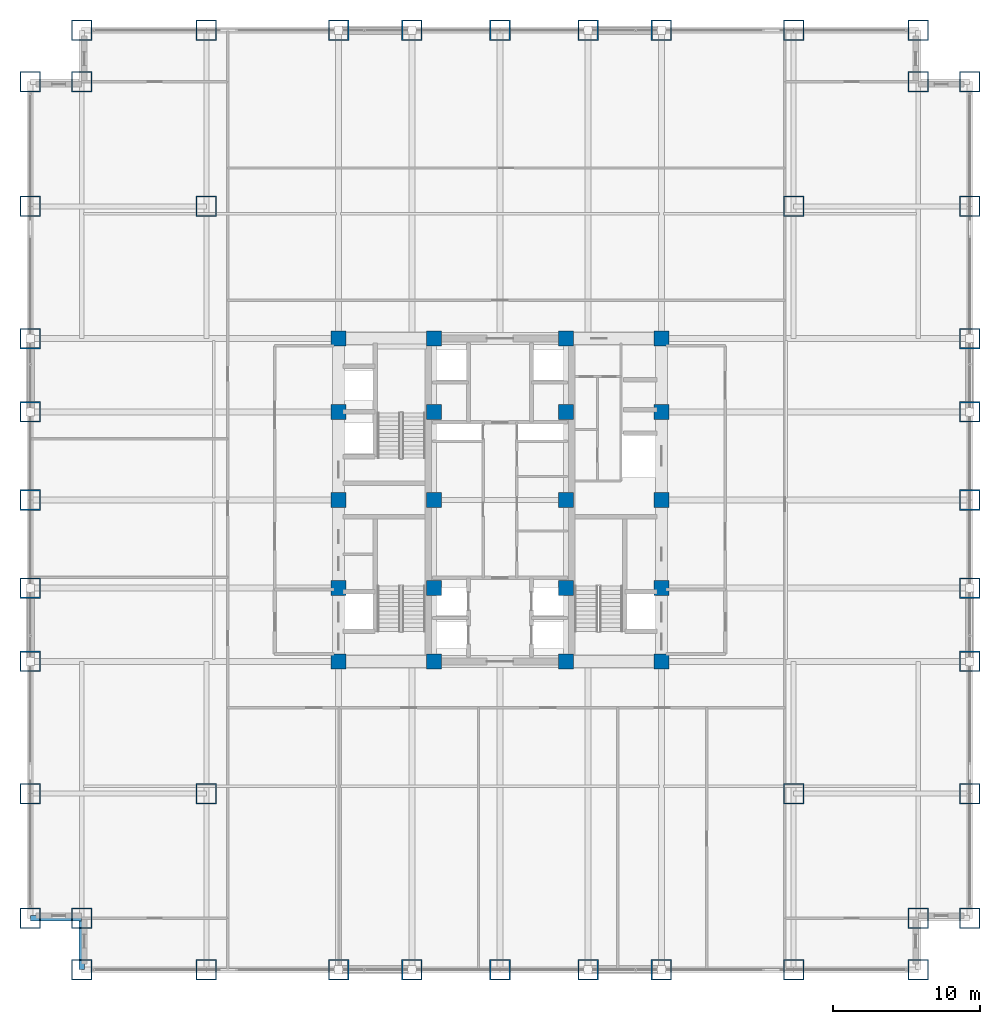
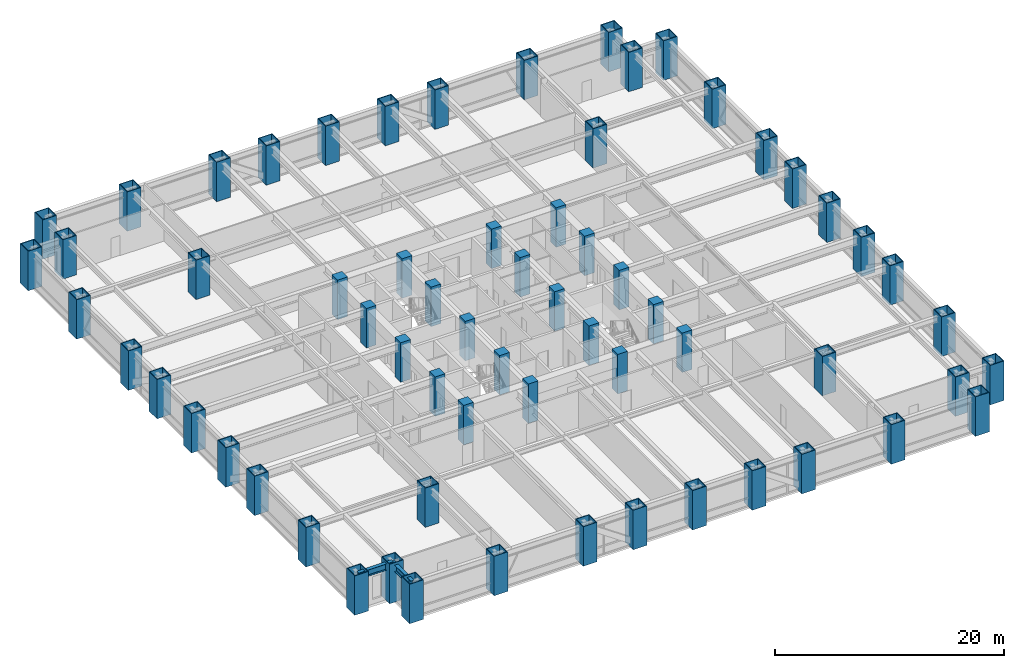
# One storey, part 1 of 27: 64 columns, 2 beams.
"""IFC4 building model written with IfcOpenShell, lengths in metres."""

from ifc_helpers import new_model, si_unit, direction, frame, origin, origin_2d, place, context, subcontext, project, spatial, rectangle, hollow_rectangle, i_section, extrude, source, transform, mapped, material, material_profile, profile_set, type_object, element, save


model = new_model("IFC4")

# Units and contexts
model_context = context("Model", 3, precision=1e-05, world=origin(), true_north=direction((0.0, 1.0)))
body_context = subcontext(model_context, "Body", "Model", "MODEL_VIEW")
ifc_project = project(units=[si_unit("LENGTHUNIT", "METRE"), si_unit("AREAUNIT", "SQUARE_METRE"), si_unit("VOLUMEUNIT", "CUBIC_METRE"), si_unit("PLANEANGLEUNIT", "RADIAN"), si_unit("MASSUNIT", "GRAM", prefix="KILO")], contexts=[model_context])

# Site, building, storey
site_placement = place(None, origin())
site = spatial("IfcSite", under=ifc_project, at=site_placement, CompositionType="ELEMENT")
building_placement = place(site_placement, origin())
building = spatial("IfcBuilding", under=site, at=building_placement, Name="Khorayat Bourse Tower", CompositionType="ELEMENT")
storey_placement = place(building_placement, frame((0.0, 0.0, 45.199951171875)))
storey = spatial("IfcBuildingStorey", under=building, at=storey_placement, Name="L09", CompositionType="ELEMENT", Elevation=45.199951171875)

# Columns
ifc_material_1 = material(Name="Steel EN 10025-4 S460M", Category="steel")
ifc_material_profile_1 = material_profile(ifc_material_1, hollow_rectangle(XDim=1.39990234375, YDim=1.39990234375, WallThickness=0.074951171875, at=origin_2d()), Name="BOX 1400x1400x75")
ifc_profile_set_1 = profile_set([ifc_material_profile_1], Name="Steel EN 10025-4 S460M")
column_type_1 = type_object("IfcColumnType", Name="COL-TUBE-1400", PredefinedType="COLUMN", material=ifc_profile_set_1)
shared_shape_1 = source(origin(), body_context, "Body", "SweptSolid", [
    extrude(hollow_rectangle(XDim=1.39990234375, YDim=1.39990234375, WallThickness=0.074951171875, at=origin_2d()), origin(), (0.0, 0.0, 1.0), 4.199951171875),
])
for number, where, z_axis, x_axis, name in (
    (1, (-32.0, -28.5, 0.0), (0.0, 0.0, 1.0), (1.0, 0.0, 0.0), "L09 Column 001"),
    (2, (-32.0, -20.0, 0.0), (0.0, 0.0, 1.0), (1.0, 0.0, 0.0), "L09 Column 002"),
    (3, (-32.0, -11.0, 0.0), (0.0, 0.0, 1.0), (1.0, 0.0, 0.0), "L09 Column 003"),
    (4, (-32.0, -6.0, 0.0), (0.0, 0.0, 1.0), (1.0, 0.0, 0.0), "L09 Column 004"),
    (5, (-32.0, 0.0, 0.0), (0.0, 0.0, 1.0), (1.0, 0.0, 0.0), "L09 Column 005"),
    (6, (-32.0, 6.0, 0.0), (0.0, 0.0, 1.0), (1.0, 0.0, 0.0), "L09 Column 006"),
    (7, (-32.0, 11.0, 0.0), (0.0, 0.0, 1.0), (1.0, 0.0, 0.0), "L09 Column 007"),
    (8, (-32.0, 20.0, 0.0), (0.0, 0.0, 1.0), (1.0, 0.0, 0.0), "L09 Column 008"),
    (9, (-32.0, 28.5, 0.0), (0.0, 0.0, 1.0), (1.0, 0.0, 0.0), "L09 Column 009"),
    (10, (-28.5, -32.0, 0.0), (0.0, 0.0, 1.0), (1.0, 0.0, 0.0), "L09 Column 010"),
    (11, (-28.5, -28.5, 0.0), (0.0, 0.0, 1.0), (1.0, 0.0, 0.0), "L09 Column 011"),
    (12, (-28.5, 28.5, 0.0), (0.0, 0.0, 1.0), (1.0, 0.0, 0.0), "L09 Column 012"),
    (13, (-28.5, 32.0, 0.0), (0.0, 0.0, 1.0), (1.0, 0.0, 0.0), "L09 Column 013"),
    (14, (-20.0, -32.0, 0.0), (0.0, 0.0, 1.0), (1.0, 0.0, 0.0), "L09 Column 014"),
    (15, (-20.0, -20.0, 0.0), (0.0, 0.0, 1.0), (1.0, 0.0, 0.0), "L09 Column 015"),
    (16, (-20.0, 20.0, 0.0), (0.0, 0.0, 1.0), (1.0, 0.0, 0.0), "L09 Column 016"),
    (17, (-20.0, 32.0, 0.0), (0.0, 0.0, 1.0), (1.0, 0.0, 0.0), "L09 Column 017"),
    (18, (-11.0, -32.0, 0.0), (0.0, 0.0, 1.0), (1.0, 0.0, 0.0), "L09 Column 018"),
    (19, (-11.0, 32.0, 0.0), (0.0, 0.0, 1.0), (1.0, 0.0, 0.0), "L09 Column 024"),
    (20, (-6.0, -32.0, 0.0), (0.0, 0.0, 1.0), (1.0, 0.0, 0.0), "L09 Column 025"),
    (21, (-6.0, 32.0, 0.0), (0.0, 0.0, 1.0), (1.0, 0.0, 0.0), "L09 Column 026"),
    (22, (0.0, -32.0, 0.0), (0.0, 0.0, 1.0), (1.0, 0.0, 0.0), "L09 Column 032"),
    (23, (0.0, 32.0, 0.0), (0.0, 0.0, 1.0), (1.0, 0.0, 0.0), "L09 Column 033"),
    (24, (6.0, -32.0, 0.0), (0.0, 0.0, 1.0), (1.0, 0.0, 0.0), "L09 Column 039"),
    (25, (6.0, 32.0, 0.0), (0.0, 0.0, 1.0), (1.0, 0.0, 0.0), "L09 Column 040"),
    (26, (11.0, -32.0, 0.0), (0.0, 0.0, 1.0), (1.0, 0.0, 0.0), "L09 Column 041"),
    (27, (11.0, 32.0, 0.0), (0.0, 0.0, 1.0), (1.0, 0.0, 0.0), "L09 Column 047"),
    (28, (20.0, -32.0, 0.0), (0.0, 0.0, 1.0), (1.0, 0.0, 0.0), "L09 Column 048"),
    (29, (20.0, -20.0, 0.0), (0.0, 0.0, 1.0), (1.0, 0.0, 0.0), "L09 Column 049"),
    (30, (20.0, 20.0, 0.0), (0.0, 0.0, 1.0), (1.0, 0.0, 0.0), "L09 Column 050"),
    (31, (20.0, 32.0, 0.0), (0.0, 0.0, 1.0), (1.0, 0.0, 0.0), "L09 Column 051"),
    (32, (28.5, -32.0, 0.0), (0.0, 0.0, 1.0), (1.0, 0.0, 0.0), "L09 Column 052"),
    (33, (28.5, -28.5, 0.0), (0.0, 0.0, 1.0), (1.0, 0.0, 0.0), "L09 Column 053"),
    (34, (28.5, 28.5, 0.0), (0.0, 0.0, 1.0), (1.0, 0.0, 0.0), "L09 Column 054"),
    (35, (28.5, 32.0, 0.0), (0.0, 0.0, 1.0), (1.0, 0.0, 0.0), "L09 Column 055"),
    (36, (32.0, -28.5, 0.0), (0.0, 0.0, 1.0), (1.0, 0.0, 0.0), "L09 Column 056"),
    (37, (32.0, -20.0, 0.0), (0.0, 0.0, 1.0), (1.0, 0.0, 0.0), "L09 Column 057"),
    (38, (32.0, -11.0, 0.0), (0.0, 0.0, 1.0), (1.0, 0.0, 0.0), "L09 Column 058"),
    (39, (32.0, -6.0, 0.0), (0.0, 0.0, 1.0), (1.0, 0.0, 0.0), "L09 Column 059"),
    (40, (32.0, 0.0, 0.0), (0.0, 0.0, 1.0), (1.0, 0.0, 0.0), "L09 Column 060"),
    (41, (32.0, 6.0, 0.0), (0.0, 0.0, 1.0), (1.0, 0.0, 0.0), "L09 Column 061"),
    (42, (32.0, 11.0, 0.0), (0.0, 0.0, 1.0), (1.0, 0.0, 0.0), "L09 Column 062"),
    (43, (32.0, 20.0, 0.0), (0.0, 0.0, 1.0), (1.0, 0.0, 0.0), "L09 Column 063"),
    (44, (32.0, 28.5, 0.0), (0.0, 0.0, 1.0), (1.0, 0.0, 0.0), "L09 Column 064"),
):
    element("IfcColumn", number, at=place(storey_placement, frame(where, z_axis=z_axis, x_axis=x_axis)), inside=storey, type_object=column_type_1, Name=name, PredefinedType="COLUMN", context=body_context, shape_type="MappedRepresentation", body=[
        mapped(shared_shape_1, transform((0.0, 0.0, 0.0), scale=1.0)),
    ])
ifc_material_2 = material(Name="Concrete C72/90", Category="concrete")
ifc_material_profile_2 = material_profile(ifc_material_2, rectangle(XDim=1.0, YDim=1.0, at=origin_2d()), Name="RC 1000x1000")
ifc_profile_set_2 = profile_set([ifc_material_profile_2], Name="Concrete C72/90")
column_type_2 = type_object("IfcColumnType", Name="COL-CORE-1000", PredefinedType="COLUMN", material=ifc_profile_set_2)
shared_shape_2 = source(origin(), body_context, "Body", "SweptSolid", [
    extrude(rectangle(XDim=1.0, YDim=1.0, at=origin_2d()), origin(), (0.0, 0.0, 1.0), 4.199951171875),
])
for number, where, z_axis, x_axis, name in (
    (45, (-11.0, -11.0, 0.0), (0.0, 0.0, 1.0), (1.0, 0.0, 0.0), "L09 Column 019"),
    (46, (-11.0, -6.0, 0.0), (0.0, 0.0, 1.0), (1.0, 0.0, 0.0), "L09 Column 020"),
    (47, (-11.0, 0.0, 0.0), (0.0, 0.0, 1.0), (1.0, 0.0, 0.0), "L09 Column 021"),
    (48, (-11.0, 6.0, 0.0), (0.0, 0.0, 1.0), (1.0, 0.0, 0.0), "L09 Column 022"),
    (49, (-11.0, 11.0, 0.0), (0.0, 0.0, 1.0), (1.0, 0.0, 0.0), "L09 Column 023"),
    (50, (-4.5, -11.0, 0.0), (0.0, 0.0, 1.0), (1.0, 0.0, 0.0), "L09 Column 027"),
    (51, (-4.5, -6.0, 0.0), (0.0, 0.0, 1.0), (1.0, 0.0, 0.0), "L09 Column 028"),
    (52, (-4.5, 0.0, 0.0), (0.0, 0.0, 1.0), (1.0, 0.0, 0.0), "L09 Column 029"),
    (53, (-4.5, 6.0, 0.0), (0.0, 0.0, 1.0), (1.0, 0.0, 0.0), "L09 Column 030"),
    (54, (-4.5, 11.0, 0.0), (0.0, 0.0, 1.0), (1.0, 0.0, 0.0), "L09 Column 031"),
    (55, (4.5, -11.0, 0.0), (0.0, 0.0, 1.0), (1.0, 0.0, 0.0), "L09 Column 034"),
    (56, (4.5, -6.0, 0.0), (0.0, 0.0, 1.0), (1.0, 0.0, 0.0), "L09 Column 035"),
    (57, (4.5, 0.0, 0.0), (0.0, 0.0, 1.0), (1.0, 0.0, 0.0), "L09 Column 036"),
    (58, (4.5, 6.0, 0.0), (0.0, 0.0, 1.0), (1.0, 0.0, 0.0), "L09 Column 037"),
    (59, (4.5, 11.0, 0.0), (0.0, 0.0, 1.0), (1.0, 0.0, 0.0), "L09 Column 038"),
    (60, (11.0, -11.0, 0.0), (0.0, 0.0, 1.0), (1.0, 0.0, 0.0), "L09 Column 042"),
    (61, (11.0, -6.0, 0.0), (0.0, 0.0, 1.0), (1.0, 0.0, 0.0), "L09 Column 043"),
    (62, (11.0, 0.0, 0.0), (0.0, 0.0, 1.0), (1.0, 0.0, 0.0), "L09 Column 044"),
    (63, (11.0, 6.0, 0.0), (0.0, 0.0, 1.0), (1.0, 0.0, 0.0), "L09 Column 045"),
    (64, (11.0, 11.0, 0.0), (0.0, 0.0, 1.0), (1.0, 0.0, 0.0), "L09 Column 046"),
):
    element("IfcColumn", number, at=place(storey_placement, frame(where, z_axis=z_axis, x_axis=x_axis)), inside=storey, type_object=column_type_2, Name=name, PredefinedType="COLUMN", context=body_context, shape_type="MappedRepresentation", body=[
        mapped(shared_shape_2, transform((0.0, 0.0, 0.0), scale=1.0)),
    ])

# Beams
ifc_material_3 = material(Name="Steel ASTM A992 Grade 50", Category="steel")
ifc_material_profile_3 = material_profile(ifc_material_3, i_section(OverallWidth=0.35498046875, OverallDepth=0.695068359375, WebThickness=0.015380859375, FlangeThickness=0.02490234375, FilletRadius=0.01806640625, at=origin_2d()), Name="W690X217")
ifc_profile_set_3 = profile_set([ifc_material_profile_3], Name="Steel ASTM A992 Grade 50")
beam_type = type_object("IfcBeamType", Name="BM-SPAN-690", PredefinedType="SPANDREL", material=ifc_profile_set_3)
shared_shape_3 = source(origin(), body_context, "Body", "SweptSolid", [
    extrude(i_section(OverallWidth=0.35498046875, OverallDepth=0.695068359375, WebThickness=0.015380859375, FlangeThickness=0.02490234375, FilletRadius=0.01806640625, at=origin_2d()), origin(), (0.0, 0.0, 1.0), 3.5),
])
for number, where, z_axis, x_axis, name in (
    (65, (-32.0, -28.5, 3.592529296875), (1.0, 0.0, 0.0), (0.0, 1.0, 0.0), "L09 BM-SPAN-690 BM-L09-SPN-062"),
    (66, (-28.5, -32.0, 3.592529296875), (0.0, 1.0, 0.0), (-1.0, 0.0, 0.0), "L09 BM-SPAN-690 BM-L09-SPN-063"),
):
    element("IfcBeam", number, at=place(storey_placement, frame(where, z_axis=z_axis, x_axis=x_axis)), inside=storey, type_object=beam_type, Name=name, PredefinedType="SPANDREL", context=body_context, shape_type="MappedRepresentation", body=[
        mapped(shared_shape_3, transform((0.0, 0.0, 0.0), scale=1.0)),
    ])

save(model, "model.ifc")
